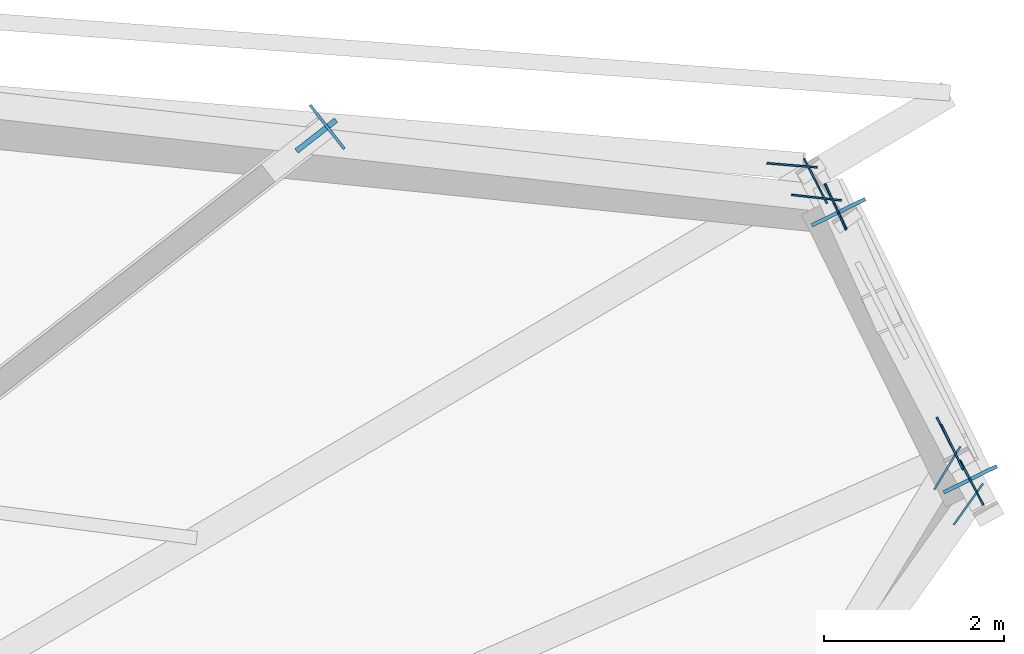
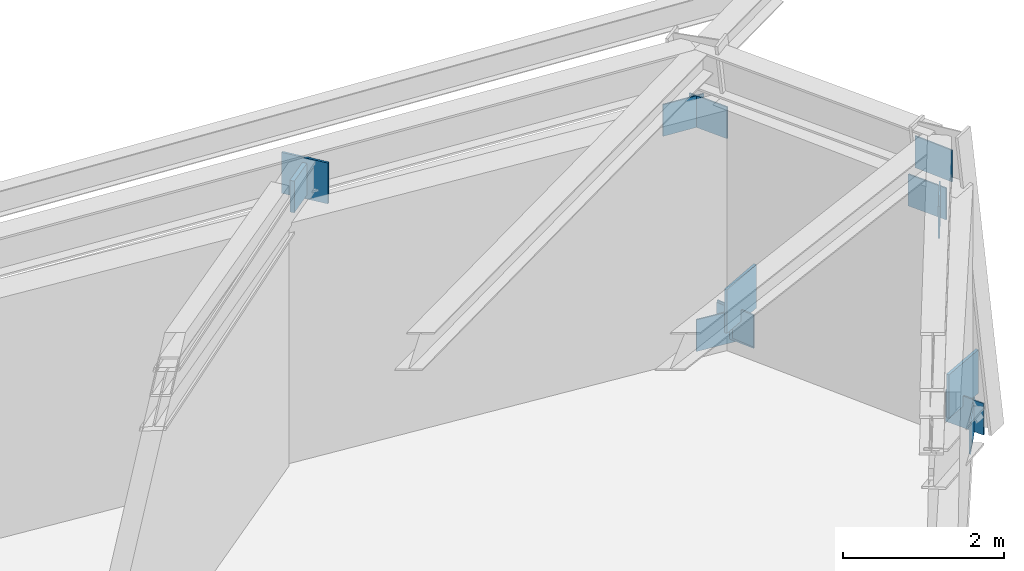
# One storey, part 8 of 14: 14 plates.
"""IFC4 building model written with IfcOpenShell, lengths in metres."""

from ifc_helpers import new_model, si_unit, direction, frame, origin, origin_2d, place, context, subcontext, project, spatial, rectangle, extrude, source, transform, mapped, material, type_object, element, save


model = new_model("IFC4")

# Units and contexts
model_context = context("Model", 3, precision=1e-05, world=origin(), true_north=direction((0.0, 1.0)))
body_context = subcontext(model_context, "Body", "Model", "MODEL_VIEW")
ifc_project = project(units=[si_unit("LENGTHUNIT", "METRE"), si_unit("AREAUNIT", "SQUARE_METRE"), si_unit("VOLUMEUNIT", "CUBIC_METRE"), si_unit("PLANEANGLEUNIT", "RADIAN"), si_unit("MASSUNIT", "GRAM", prefix="KILO")], contexts=[model_context])

# Site, building, storey
site_placement = place(None, origin())
site = spatial("IfcSite", under=ifc_project, at=site_placement, CompositionType="ELEMENT")
building_placement = place(site_placement, origin())
building = spatial("IfcBuilding", under=site, at=building_placement, Name="Olszyna Solenne Hotel", CompositionType="ELEMENT")
storey_placement = place(building_placement, frame((0.0, 0.0, 142.10009765625)))
storey = spatial("IfcBuildingStorey", under=building, at=storey_placement, Name="L37", CompositionType="ELEMENT", Elevation=142.10009765625)

# Plates
ifc_material_1 = material(Name="Steel S460M", Category="steel")
plate_type_1 = type_object("IfcPlateType", Name="GP-CAP2", PredefinedType="USERDEFINED", material=ifc_material_1)
shared_shape_1 = source(origin(), body_context, "Body", "SweptSolid", [
    extrude(rectangle(XDim=0.030029296875, YDim=0.6201171875, at=origin_2d()), origin(), (0.0, 0.0, 1.0), 0.6201171875),
])
plate_1_placement = place(storey_placement, frame((58.06787109375, 42.27880859375, 3.48974609375), z_axis=(0.0, 0.0, 1.0), x_axis=(0.788010753607, 0.615661475326, 0.0)))
element("IfcPlate", 1, at=plate_1_placement, inside=storey, type_object=plate_type_1, Name="Hollow section end-cap plate GP-CAP2 CP-OC-OC-L37-02-2", ObjectType="GUSSET_PLATE", PredefinedType="USERDEFINED", context=body_context, shape_type="MappedRepresentation", body=[
    mapped(shared_shape_1, transform((0.0, 0.0, 0.0), x_axis=(1.0, 0.0, 0.0), y_axis=(0.0, 1.0, 0.0), z_axis=(0.0, 0.0, 1.0), scale=1.0)),
])
ifc_material_2 = material(Name="Steel S355J2", Category="steel")
plate_type_2 = type_object("IfcPlateType", Name="GP-ND2", PredefinedType="USERDEFINED", material=ifc_material_2)
shared_shape_2 = source(origin(), body_context, "Body", "SweptSolid", [
    extrude(rectangle(XDim=0.56005859375, YDim=0.02001953125, at=origin_2d()), origin(), (0.0, 0.0, 1.0), 0.47998046875),
])
for number, where, z_axis, x_axis, name in (
    (2, (63.727294921875, 41.394287109375, -0.12109375), (0.0, 0.0, 1.0), (0.436016609893, -0.89993861785, 0.0), "Brace end connection gusset plate GP-ND2 EP-BR-L37-1-1"),
    (3, (65.025146484375, 38.7158203125, 3.57080078125), (0.0, 0.0, 1.0), (0.436016609893, -0.89993861785, 0.0), "Brace end connection gusset plate GP-ND2 EP-BR-L37-1-2"),
    (4, (64.981201171875, 38.796875, 2.9599609375), (0.0, 0.0, 1.0), (-0.4563215909, 0.889814927768, 0.0), "Brace end connection gusset plate GP-ND2 EP-CH-L37-01-1"),
    (5, (63.504150390625, 41.67724609375, 2.9599609375), (0.0, 0.0, 1.0), (-0.4563215909, 0.889814927768, 0.0), "Brace end connection gusset plate GP-ND2 EP-CH-L37-01-2"),
    (6, (65.241943359375, 38.320068359375, -0.105712890625), (0.0, 0.0, 1.0), (-0.462212987705, 0.886768940591, 0.0), "Brace end connection gusset plate GP-ND2 EP-BT-L37-01-1-1"),
    (7, (63.728515625, 41.388671875, -0.090576171875), (0.0, 0.0, 1.0), (0.407693082449, -0.913119023197, 0.0), "Brace end connection gusset plate GP-ND2 EP-BT-L37-01-2-1"),
    (8, (63.242431640625, 41.852294921875, 2.9599609375), (0.0, 0.0, 1.0), (-0.996565502498, 0.082808207512, 0.0), "Brace end connection gusset plate GP-ND2 EP-CH-L37-02-1"),
    (9, (63.514892578125, 41.492431640625, -0.18359375), (0.0, 0.0, 1.0), (-0.993767919161, 0.111468932206, 0.0), "Brace end connection gusset plate GP-ND2 EP-BT-L37-02-1-1"),
    (10, (64.970458984375, 38.482666015625, 2.9599609375), (0.0, 0.0, 1.0), (0.517280366086, 0.855815998251, 0.0), "Brace end connection gusset plate GP-ND2 EP-CH-L37-12-2"),
    (11, (65.205078125, 38.079345703125, -0.1513671875), (0.0, 0.0, 1.0), (-0.579423430158, -0.815026679676, 0.0), "Brace end connection gusset plate GP-ND2 EP-BT-L37-12-2-1"),
):
    element("IfcPlate", number, at=place(storey_placement, frame(where, z_axis=z_axis, x_axis=x_axis)), inside=storey, type_object=plate_type_2, Name=name, ObjectType="GUSSET_PLATE", PredefinedType="USERDEFINED", context=body_context, shape_type="MappedRepresentation", body=[
        mapped(shared_shape_2, transform((0.0, 0.0, 0.0), x_axis=(1.0, 0.0, 0.0), y_axis=(0.0, 1.0, 0.0), z_axis=(0.0, 0.0, 1.0), scale=1.0)),
    ])
plate_type_3 = type_object("IfcPlateType", Name="GP-ND1", PredefinedType="USERDEFINED", material=ifc_material_1)
shared_shape_3 = source(origin(), body_context, "Body", "SweptSolid", [
    extrude(rectangle(XDim=0.56005859375, YDim=0.06005859375, at=origin_2d()), origin(), (0.0, 0.0, 1.0), 0.47998046875),
])
plate_2_placement = place(storey_placement, frame((57.94580078125, 42.183349609375, 3.55322265625), z_axis=(0.0, 0.0, 1.0), x_axis=(0.788010753607, 0.615661475326, 0.0)))
element("IfcPlate", 12, at=plate_2_placement, inside=storey, type_object=plate_type_3, Name="Brace end connection gusset plate GP-ND1 EP-OU-L37-02-2", ObjectType="GUSSET_PLATE", PredefinedType="USERDEFINED", context=body_context, shape_type="MappedRepresentation", body=[
    mapped(shared_shape_3, transform((0.0, 0.0, 0.0), x_axis=(1.0, 0.0, 0.0), y_axis=(0.0, 1.0, 0.0), z_axis=(0.0, 0.0, 1.0), scale=1.0)),
])
plate_type_4 = type_object("IfcPlateType", Name="GP-CAP1", PredefinedType="USERDEFINED", material=ifc_material_1)
shared_shape_4 = source(origin(), body_context, "Body", "SweptSolid", [
    extrude(rectangle(XDim=0.0400390625, YDim=0.659912109375, at=origin_2d()), origin(), (0.0, 0.0, 1.0), 0.659912109375),
])
for number, where, z_axis, x_axis, name in (
    (13, (65.226318359375, 38.356201171875, 0.2197265625), (0.0, 0.0, 1.0), (-0.442288690219, 0.896872741533, 0.0), "Hollow section end-cap plate GP-CAP1 CP-CTB-CTB-L37-1-1"),
    (14, (63.759765625, 41.329833984375, 0.2197265625), (0.0, 0.0, 1.0), (-0.442288690219, 0.896872741533, 0.0), "Hollow section end-cap plate GP-CAP1 CP-CTB-CTB-L37-1-2"),
):
    element("IfcPlate", number, at=place(storey_placement, frame(where, z_axis=z_axis, x_axis=x_axis)), inside=storey, type_object=plate_type_4, Name=name, ObjectType="GUSSET_PLATE", PredefinedType="USERDEFINED", context=body_context, shape_type="MappedRepresentation", body=[
        mapped(shared_shape_4, transform((0.0, 0.0, 0.0), x_axis=(1.0, 0.0, 0.0), y_axis=(0.0, 1.0, 0.0), z_axis=(0.0, 0.0, 1.0), scale=1.0)),
    ])

save(model, "model.ifc")
